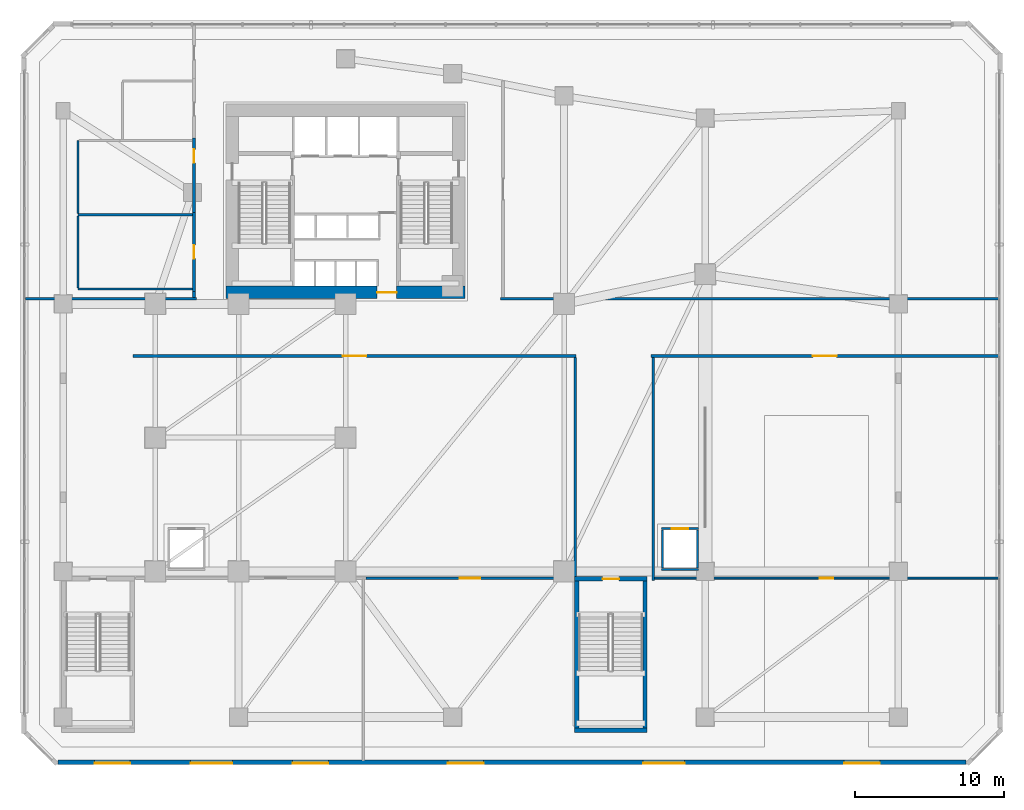
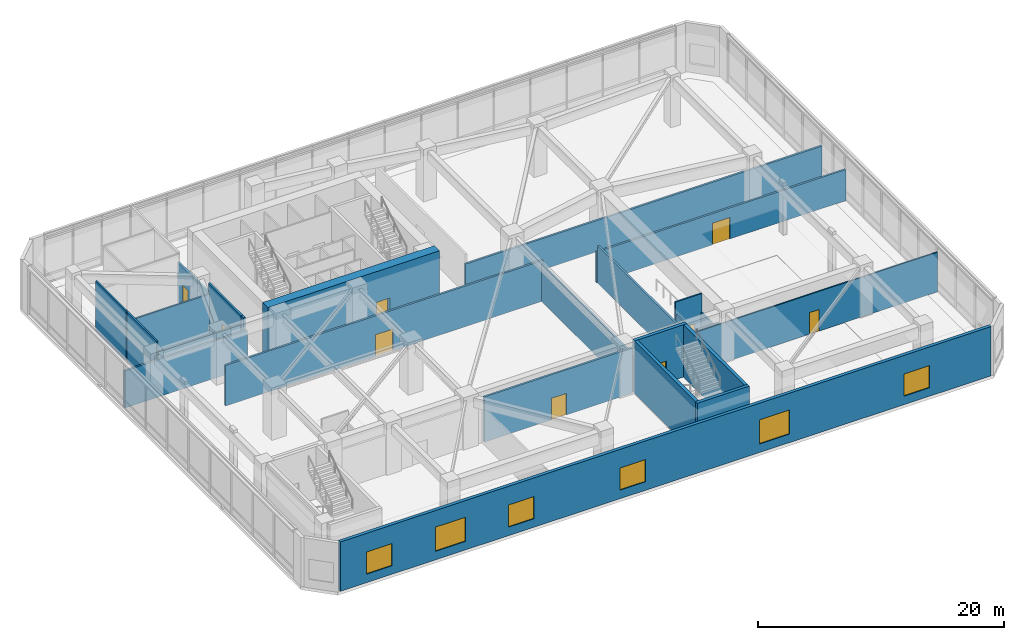
# One storey, part 10 of 18: 25 walls, 9 doors, 6 windows, 15 openings.
"""IFC4 building model written with IfcOpenShell, lengths in metres."""

from ifc_helpers import new_model, si_unit, direction, frame, frame_2d, origin, place, context, subcontext, project, spatial, rectangle, extrude, source, transform, mapped, material, layer, layer_set, type_object, element, fill, save


model = new_model("IFC4")

# Units and contexts
model_context = context("Model", 3, precision=1e-05, world=origin(), true_north=direction((0.0, 1.0)))
body_context = subcontext(model_context, "Body", "Model", "MODEL_VIEW")
ifc_project = project(units=[si_unit("LENGTHUNIT", "METRE"), si_unit("AREAUNIT", "SQUARE_METRE"), si_unit("VOLUMEUNIT", "CUBIC_METRE"), si_unit("PLANEANGLEUNIT", "RADIAN"), si_unit("MASSUNIT", "GRAM", prefix="KILO")], contexts=[model_context])

# Site, building, storey
site_placement = place(None, origin())
site = spatial("IfcSite", under=ifc_project, at=site_placement, CompositionType="ELEMENT")
building_placement = place(site_placement, origin())
building = spatial("IfcBuilding", under=site, at=building_placement, Name="Calvemar Wedge Station Tower", CompositionType="ELEMENT")
storey_placement = place(building_placement, frame((0.0, 0.0, 11.199951171875)))
storey = spatial("IfcBuildingStorey", under=building, at=storey_placement, Name="L03", CompositionType="ELEMENT", Elevation=11.199951171875)

# Walls
ifc_material_1 = material(Name="Concrete C50", Category="concrete")
ifc_layer_1 = layer(ifc_material_1, 0.300048828125)
ifc_layer_set_1 = layer_set([ifc_layer_1], Name="Concrete C50")
wall_type_1 = type_object("IfcWallType", Name="SW-CORE-300", PredefinedType="SHEAR", material=ifc_layer_set_1)
for number, where, z_axis, x_axis, name in (
    (1, (39.35009765625, 4.449951171875, 0.0), (0.0, 0.0, 1.0), (0.0, 1.0, 0.0), "Storey L03 Podium Stair STP2 Structural Wall W"),
    (2, (43.949951171875, 4.449951171875, 0.0), (0.0, 0.0, 1.0), (0.0, 1.0, 0.0), "Storey L03 Podium Stair STP2 Structural Wall E"),
):
    element("IfcWall", number, at=place(storey_placement, frame(where, z_axis=z_axis, x_axis=x_axis)), inside=storey, type_object=wall_type_1, Name=name, PredefinedType="SHEAR", context=body_context, shape_type="SweptSolid", body=[
        extrude(rectangle(XDim=9.900146484375, YDim=0.300048828125, at=frame_2d((4.9501953125, 0.0))), origin(), (0.0, 0.0, 1.0), 5.199951171875),
    ])
wall_1_placement = place(storey_placement, frame((39.199951171875, 4.300048828125, 0.0), z_axis=(0.0, 0.0, 1.0), x_axis=(1.0, 0.0, 0.0)))
element("IfcWall", 3, at=wall_1_placement, inside=storey, type_object=wall_type_1, Name="Storey L03 Podium Stair STP2 Structural Wall S", PredefinedType="SHEAR", context=body_context, shape_type="SweptSolid", body=[
    extrude(rectangle(XDim=4.900146484375, YDim=0.300048828125, at=frame_2d((2.4501953125, 0.0))), origin(), (0.0, 0.0, 1.0), 5.199951171875),
])

# Wall, opening, door
wall_2_placement = place(storey_placement, frame((39.199951171875, 14.5, 0.0), z_axis=(0.0, 0.0, 1.0), x_axis=(1.0, 0.0, 0.0)))
wall_2 = element("IfcWall", 4, at=wall_2_placement, inside=storey, type_object=wall_type_1, Name="Storey L03 Podium Stair STP2 Structural Wall N", PredefinedType="SHEAR", context=body_context, shape_type="SweptSolid", body=[
    extrude(rectangle(XDim=4.900146484375, YDim=0.300048828125, at=frame_2d((2.4501953125, 0.0))), origin(), (0.0, 0.0, 1.0), 5.199951171875),
])
shared_shape_1 = source(origin(), body_context, "Body", "SweptSolid", [
    extrude(rectangle(XDim=1.10009765625, YDim=2.14990234375, at=frame_2d((0.550048828125, 1.074951171875))), frame((0.0, 0.16015625, 0.0), z_axis=(0.0, -1.0, 0.0), x_axis=(1.0, 0.0, 0.0)), (0.0, 0.0, 1.0), 0.320068359375),
])
opening_1_placement = place(wall_2_placement, frame((1.89990234375, 0.0, 0.0)))
opening_1 = element("IfcOpeningElement", 5, at=opening_1_placement, cuts=wall_2, Name="Opening FD-90", PredefinedType="OPENING", context=body_context, shape_type="MappedRepresentation", body=[
    mapped(shared_shape_1, transform((0.0, 0.0, 0.0), scale=1.0)),
])
ifc_material_2 = material(Name="Galvanized fire-rated steel door leaf P-90", Category="steel")
door_type_1 = type_object("IfcDoorType", Name="DR-FD90-1100", OperationType="NOTDEFINED", PredefinedType="DOOR", material=ifc_material_2)
shared_shape_2 = source(origin(), body_context, "Body", "SweptSolid", [
    extrude(rectangle(XDim=1.10009765625, YDim=2.14990234375, at=frame_2d((0.550048828125, 1.074951171875))), frame((0.0, 0.02490234375, 0.0), z_axis=(0.0, -1.0, 0.0), x_axis=(1.0, 0.0, 0.0)), (0.0, 0.0, 1.0), 0.050048828125),
])
door_1_placement = place(opening_1_placement, origin())
door_1 = element("IfcDoor", 6, at=door_1_placement, inside=storey, type_object=door_type_1, Name="L03 Exit Stair ST-P2 Door", OperationType="SINGLE_SWING_RIGHT", OverallHeight=2.14990234375, OverallWidth=1.10009765625, PredefinedType="DOOR", context=body_context, shape_type="MappedRepresentation", body=[
    mapped(shared_shape_2, transform((0.0, 0.0, 0.0), scale=1.0)),
])
fill(opening_1, door_1)

ifc_material_3 = material(Name="Concrete C80", Category="concrete")
ifc_layer_2 = layer(ifc_material_3, 0.85009765625)
ifc_layer_set_2 = layer_set([ifc_layer_2], Name="Concrete C80")
wall_type_2 = type_object("IfcWallType", Name="SW-CORE-850", PredefinedType="SHEAR", material=ifc_layer_set_2)
wall_3_placement = place(storey_placement, frame((15.75, 33.77490234375, 0.0), z_axis=(0.0, 0.0, 1.0), x_axis=(1.0, 0.0, 0.0)))
wall_3 = element("IfcWall", 7, at=wall_3_placement, inside=storey, type_object=wall_type_2, Name="Storey L03 Core Shear Wall S", PredefinedType="SHEAR", context=body_context, shape_type="SweptSolid", body=[
    extrude(rectangle(XDim=16.10009765625, YDim=0.85009765625, at=frame_2d((8.050048828125, 0.0))), origin(), (0.0, 0.0, 1.0), 5.199951171875),
])
shared_shape_3 = source(origin(), body_context, "Body", "SweptSolid", [
    extrude(rectangle(XDim=1.300048828125, YDim=2.14990234375, at=frame_2d((0.64990234375, 1.074951171875))), frame((0.0, 0.43505859375, 0.0), z_axis=(0.0, -1.0, 0.0), x_axis=(1.0, 0.0, 0.0)), (0.0, 0.0, 1.0), 0.8701171875),
])
opening_2_placement = place(wall_3_placement, frame((10.179931640625, 0.0, 0.0)))
opening_2 = element("IfcOpeningElement", 8, at=opening_2_placement, cuts=wall_3, Name="Opening DD-130", PredefinedType="OPENING", context=body_context, shape_type="MappedRepresentation", body=[
    mapped(shared_shape_3, transform((0.0, 0.0, 0.0), scale=1.0)),
])
ifc_material_4 = material(Name="Double-leaf lift lobby fire door EI 60")
door_type_2 = type_object("IfcDoorType", Name="DR-DBL-1300", OperationType="DOUBLE_DOOR_SINGLE_SWING", PredefinedType="DOOR", material=ifc_material_4)
shared_shape_4 = source(origin(), body_context, "Body", "SweptSolid", [
    extrude(rectangle(XDim=1.300048828125, YDim=2.14990234375, at=frame_2d((0.64990234375, 1.074951171875))), frame((0.0, 0.02490234375, 0.0), z_axis=(0.0, -1.0, 0.0), x_axis=(1.0, 0.0, 0.0)), (0.0, 0.0, 1.0), 0.050048828125),
])
door_2_placement = place(opening_2_placement, origin())
door_2 = element("IfcDoor", 9, at=door_2_placement, inside=storey, type_object=door_type_2, Name="L03 Passenger Lift Lobby Door", OperationType="DOUBLE_DOOR_SINGLE_SWING", OverallHeight=2.14990234375, OverallWidth=1.300048828125, PredefinedType="DOOR", context=body_context, shape_type="MappedRepresentation", body=[
    mapped(shared_shape_4, transform((0.0, 0.0, 0.0), scale=1.0)),
])
fill(opening_2, door_2)

# Wall
ifc_material_5 = material(Name="Double-stud fire-rated corridor partition")
ifc_layer_3 = layer(ifc_material_5, 0.179931640625)
ifc_layer_set_3 = layer_set([ifc_layer_3], Name="Double-stud fire-rated corridor partition")
wall_type_3 = type_object("IfcWallType", Name="W-CORR-180", PredefinedType="PARTITIONING", material=ifc_layer_set_3)
wall_4_placement = place(storey_placement, frame((2.264892578125, 33.35009765625, 0.0), z_axis=(0.0, 0.0, 1.0), x_axis=(1.0, 0.0, 0.0)))
element("IfcWall", 10, at=wall_4_placement, inside=storey, type_object=wall_type_3, Name="Storey L03 Interior Partition WL-L03-002", PredefinedType="PARTITIONING", context=body_context, shape_type="SweptSolid", body=[
    extrude(rectangle(XDim=11.4951171875, YDim=0.179931640625, at=frame_2d((5.74755859375, 0.0))), origin(), (0.0, 0.0, 1.0), 3.692138671875),
])

# Wall, opening, door
wall_5_placement = place(storey_placement, frame((39.31005859375, 29.5, 0.0), z_axis=(0.0, 0.0, 1.0), x_axis=(-1.0, 0.0, 0.0)))
wall_5 = element("IfcWall", 11, at=wall_5_placement, inside=storey, type_object=wall_type_3, Name="Storey L03 Interior Partition WL-L03-003", PredefinedType="PARTITIONING", context=body_context, shape_type="SweptSolid", body=[
    extrude(rectangle(XDim=29.820068359375, YDim=0.179931640625, at=frame_2d((14.91015625, 0.0))), origin(), (0.0, 0.0, 1.0), 4.030029296875),
])
shared_shape_5 = source(origin(), body_context, "Body", "SweptSolid", [
    extrude(rectangle(XDim=1.60009765625, YDim=2.14990234375, at=frame_2d((0.800048828125, 1.074951171875))), frame((0.0, 0.10009765625, 0.0), z_axis=(0.0, -1.0, 0.0), x_axis=(1.0, 0.0, 0.0)), (0.0, 0.0, 1.0), 0.199951171875),
])
opening_3_placement = place(wall_5_placement, frame((14.110107421875, 0.0, 0.0)))
opening_3 = element("IfcOpeningElement", 12, at=opening_3_placement, cuts=wall_5, Name="Opening DD-160", PredefinedType="OPENING", context=body_context, shape_type="MappedRepresentation", body=[
    mapped(shared_shape_5, transform((0.0, 0.0, 0.0), scale=1.0)),
])
ifc_material_6 = material(Name="Double-leaf fire-rated lobby door EI 60")
door_type_3 = type_object("IfcDoorType", Name="DR-DBL-1600", OperationType="DOUBLE_DOOR_SINGLE_SWING", PredefinedType="DOOR", material=ifc_material_6)
shared_shape_6 = source(origin(), body_context, "Body", "SweptSolid", [
    extrude(rectangle(XDim=1.60009765625, YDim=2.14990234375, at=frame_2d((0.800048828125, 1.074951171875))), frame((0.0, 0.02490234375, 0.0), z_axis=(0.0, -1.0, 0.0), x_axis=(1.0, 0.0, 0.0)), (0.0, 0.0, 1.0), 0.050048828125),
])
door_3_placement = place(opening_3_placement, origin())
door_3 = element("IfcDoor", 13, at=door_3_placement, inside=storey, type_object=door_type_3, Name="L03 Civic Transit Auditorium Door", OperationType="SINGLE_SWING_RIGHT", OverallHeight=2.14990234375, OverallWidth=1.60009765625, PredefinedType="DOOR", context=body_context, shape_type="MappedRepresentation", body=[
    mapped(shared_shape_6, transform((0.0, 0.0, 0.0), scale=1.0)),
])
fill(opening_3, door_3)

wall_6_placement = place(storey_placement, frame((67.735107421875, 29.5, 0.0), z_axis=(0.0, 0.0, 1.0), x_axis=(-1.0, 0.0, 0.0)))
wall_6 = element("IfcWall", 14, at=wall_6_placement, inside=storey, type_object=wall_type_3, Name="Storey L03 Interior Partition WL-L03-004", PredefinedType="PARTITIONING", context=body_context, shape_type="SweptSolid", body=[
    extrude(rectangle(XDim=23.39501953125, YDim=0.179931640625, at=frame_2d((11.697509765625, 0.0))), origin(), (0.0, 0.0, 1.0), 3.092041015625),
])
opening_4_placement = place(wall_6_placement, frame((10.8974609375, 0.0, 0.0)))
opening_4 = element("IfcOpeningElement", 15, at=opening_4_placement, cuts=wall_6, Name="Opening DD-160", PredefinedType="OPENING", context=body_context, shape_type="MappedRepresentation", body=[
    mapped(shared_shape_5, transform((0.0, 0.0, 0.0), scale=1.0)),
])
door_4_placement = place(opening_4_placement, origin())
door_4 = element("IfcDoor", 16, at=door_4_placement, inside=storey, type_object=door_type_3, Name="L03 Coastal Architecture Exhibition Hall Door", OperationType="SINGLE_SWING_LEFT", OverallHeight=2.14990234375, OverallWidth=1.60009765625, PredefinedType="DOOR", context=body_context, shape_type="MappedRepresentation", body=[
    mapped(shared_shape_6, transform((0.0, 0.0, 0.0), scale=1.0)),
])
fill(opening_4, door_4)

# Walls
wall_7_placement = place(storey_placement, frame((34.239990234375, 33.35009765625, 0.0), z_axis=(0.0, 0.0, 1.0), x_axis=(1.0, 0.0, 0.0)))
element("IfcWall", 17, at=wall_7_placement, inside=storey, type_object=wall_type_3, Name="Storey L03 Interior Partition WL-L03-005", PredefinedType="PARTITIONING", context=body_context, shape_type="SweptSolid", body=[
    extrude(rectangle(XDim=33.4951171875, YDim=0.179931640625, at=frame_2d((16.74755859375, 0.0))), origin(), (0.0, 0.0, 1.0), 3.092041015625),
])
wall_8_placement = place(storey_placement, frame((39.25, 14.52001953125, 0.0), z_axis=(0.0, 0.0, 1.0), x_axis=(0.0, 1.0, 0.0)))
element("IfcWall", 18, at=wall_8_placement, inside=storey, type_object=wall_type_3, Name="Storey L03 Interior Partition WL-L03-006", PredefinedType="PARTITIONING", context=body_context, shape_type="SweptSolid", body=[
    extrude(rectangle(XDim=14.885986328125, YDim=0.179931640625, at=frame_2d((7.44287109375, 0.0))), origin(), (0.0, 0.0, 1.0), 3.692138671875),
])
wall_9_placement = place(storey_placement, frame((44.5, 29.406005859375, 0.0), z_axis=(0.0, 0.0, 1.0), x_axis=(0.0, -1.0, 0.0)))
element("IfcWall", 19, at=wall_9_placement, inside=storey, type_object=wall_type_3, Name="Storey L03 Interior Partition WL-L03-007", PredefinedType="PARTITIONING", context=body_context, shape_type="SweptSolid", body=[
    extrude(rectangle(XDim=15.006103515625, YDim=0.179931640625, at=frame_2d((7.5029296875, 0.0))), origin(), (0.0, 0.0, 1.0), 3.692138671875),
])

# Wall, opening, door
wall_10_placement = place(storey_placement, frame((13.60009765625, 33.840087890625, 0.0), z_axis=(0.0, 0.0, 1.0), x_axis=(0.0, 1.0, 0.0)))
wall_10 = element("IfcWall", 20, at=wall_10_placement, inside=storey, type_object=wall_type_3, Name="Storey L03 Interior Partition WL-L03-008", PredefinedType="PARTITIONING", context=body_context, shape_type="SweptSolid", body=[
    extrude(rectangle(XDim=5.31982421875, YDim=0.179931640625, at=frame_2d((2.659912109375, 0.0))), origin(), (0.0, 0.0, 1.0), 4.900146484375),
])
shared_shape_7 = source(origin(), body_context, "Body", "SweptSolid", [
    extrude(rectangle(XDim=0.89990234375, YDim=2.14990234375, at=frame_2d((0.449951171875, 1.074951171875))), frame((0.0, 0.10009765625, 0.0), z_axis=(0.0, -1.0, 0.0), x_axis=(1.0, 0.0, 0.0)), (0.0, 0.0, 1.0), 0.199951171875),
])
opening_5_placement = place(wall_10_placement, frame((2.2099609375, 0.0, 0.0)))
opening_5 = element("IfcOpeningElement", 21, at=opening_5_placement, cuts=wall_10, Name="Opening D-01", PredefinedType="OPENING", context=body_context, shape_type="MappedRepresentation", body=[
    mapped(shared_shape_7, transform((0.0, 0.0, 0.0), scale=1.0)),
])
ifc_material_7 = material(Name="Architectural hardwood acoustic swing door", Category="wood")
door_type_4 = type_object("IfcDoorType", Name="DR-INT-900", OperationType="NOTDEFINED", PredefinedType="DOOR", material=ifc_material_7)
shared_shape_8 = source(origin(), body_context, "Body", "SweptSolid", [
    extrude(rectangle(XDim=0.89990234375, YDim=2.14990234375, at=frame_2d((0.449951171875, 1.074951171875))), frame((0.0, 0.02490234375, 0.0), z_axis=(0.0, -1.0, 0.0), x_axis=(1.0, 0.0, 0.0)), (0.0, 0.0, 1.0), 0.050048828125),
])
door_5_placement = place(opening_5_placement, origin())
door_5 = element("IfcDoor", 22, at=door_5_placement, inside=storey, type_object=door_type_4, Name="L03 Male Toilet Door", OperationType="SINGLE_SWING_RIGHT", OverallHeight=2.14990234375, OverallWidth=0.89990234375, PredefinedType="DOOR", context=body_context, shape_type="MappedRepresentation", body=[
    mapped(shared_shape_8, transform((0.0, 0.0, 0.0), scale=1.0)),
])
fill(opening_5, door_5)

wall_11_placement = place(storey_placement, frame((13.60009765625, 39.162109375, 0.0), z_axis=(0.0, 0.0, 1.0), x_axis=(0.0, 1.0, 0.0)))
wall_11 = element("IfcWall", 23, at=wall_11_placement, inside=storey, type_object=wall_type_3, Name="Storey L03 Interior Partition WL-L03-009", PredefinedType="PARTITIONING", context=body_context, shape_type="SweptSolid", body=[
    extrude(rectangle(XDim=4.997802734375, YDim=0.179931640625, at=frame_2d((2.4990234375, 0.0))), origin(), (0.0, 0.0, 1.0), 3.942138671875),
])
opening_6_placement = place(wall_11_placement, frame((3.330078125, 0.0, 0.0)))
opening_6 = element("IfcOpeningElement", 24, at=opening_6_placement, cuts=wall_11, Name="Opening D-01", PredefinedType="OPENING", context=body_context, shape_type="MappedRepresentation", body=[
    mapped(shared_shape_7, transform((0.0, 0.0, 0.0), scale=1.0)),
])
door_6_placement = place(opening_6_placement, origin())
door_6 = element("IfcDoor", 25, at=door_6_placement, inside=storey, type_object=door_type_4, Name="L03 Female Toilet Door", OperationType="SINGLE_SWING_LEFT", OverallHeight=2.14990234375, OverallWidth=0.89990234375, PredefinedType="DOOR", context=body_context, shape_type="MappedRepresentation", body=[
    mapped(shared_shape_8, transform((0.0, 0.0, 0.0), scale=1.0)),
])
fill(opening_6, door_6)

# Wall
wall_12_placement = place(storey_placement, frame((13.60009765625, 33.444091796875, 0.0), z_axis=(0.0, 0.0, 1.0), x_axis=(0.0, 1.0, 0.0)))
element("IfcWall", 26, at=wall_12_placement, inside=storey, type_object=wall_type_3, Name="Storey L03 Interior Partition WL-L03-012", PredefinedType="PARTITIONING", context=body_context, shape_type="SweptSolid", body=[
    extrude(rectangle(XDim=0.393798828125, YDim=0.179931640625, at=frame_2d((0.19677734375, 0.0))), origin(), (0.0, 0.0, 1.0), 4.900146484375),
])

# Wall, opening, door
wall_13_placement = place(storey_placement, frame((39.055908203125, 14.550048828125, 0.0), z_axis=(0.0, 0.0, 1.0), x_axis=(-1.0, 0.0, 0.0)))
wall_13 = element("IfcWall", 27, at=wall_13_placement, inside=storey, type_object=wall_type_3, Name="Storey L03 Interior Partition WL-L03-023", PredefinedType="PARTITIONING", context=body_context, shape_type="SweptSolid", body=[
    extrude(rectangle(XDim=13.893798828125, YDim=0.179931640625, at=frame_2d((6.94677734375, 0.0))), origin(), (0.0, 0.0, 1.0), 4.485107421875),
])
shared_shape_9 = source(origin(), body_context, "Body", "SweptSolid", [
    extrude(rectangle(XDim=1.39990234375, YDim=2.14990234375, at=frame_2d((0.699951171875, 1.074951171875))), frame((0.0, 0.10009765625, 0.0), z_axis=(0.0, -1.0, 0.0), x_axis=(1.0, 0.0, 0.0)), (0.0, 0.0, 1.0), 0.199951171875),
])
opening_7_placement = place(wall_13_placement, frame((6.186767578125, 0.0, 0.0)))
opening_7 = element("IfcOpeningElement", 28, at=opening_7_placement, cuts=wall_13, Name="Opening DD-140", PredefinedType="OPENING", context=body_context, shape_type="MappedRepresentation", body=[
    mapped(shared_shape_9, transform((0.0, 0.0, 0.0), scale=1.0)),
])
ifc_material_8 = material(Name="Double-leaf corridor acoustic fire door EI 60")
door_type_5 = type_object("IfcDoorType", Name="DR-DBL-1400", OperationType="DOUBLE_DOOR_SINGLE_SWING", PredefinedType="DOOR", material=ifc_material_8)
shared_shape_10 = source(origin(), body_context, "Body", "SweptSolid", [
    extrude(rectangle(XDim=1.39990234375, YDim=2.14990234375, at=frame_2d((0.699951171875, 1.074951171875))), frame((0.0, 0.02490234375, 0.0), z_axis=(0.0, -1.0, 0.0), x_axis=(1.0, 0.0, 0.0)), (0.0, 0.0, 1.0), 0.050048828125),
])
door_7_placement = place(opening_7_placement, origin())
door_7 = element("IfcDoor", 29, at=door_7_placement, inside=storey, type_object=door_type_5, Name="L03 Conference Seminar Room 2 Door", OperationType="SINGLE_SWING_LEFT", OverallHeight=2.14990234375, OverallWidth=1.39990234375, PredefinedType="DOOR", context=body_context, shape_type="MappedRepresentation", body=[
    mapped(shared_shape_10, transform((0.0, 0.0, 0.0), scale=1.0)),
])
fill(opening_7, door_7)

# Wall, openings, windows
ifc_material_9 = material(Name="Precast concrete C45", Category="concrete")
ifc_layer_4 = layer(ifc_material_9, 0.300048828125)
ifc_layer_set_4 = layer_set([ifc_layer_4], Name="Precast concrete C45")
wall_type_4 = type_object("IfcWallType", Name="W-EXT-GFRC-300", PredefinedType="SOLIDWALL", material=ifc_layer_set_4)
wall_14_placement = place(storey_placement, frame((4.457275390625, 2.14990234375, 0.0), z_axis=(0.0, 0.0, 1.0), x_axis=(1.0, 0.0, 0.0)))
wall_14 = element("IfcWall", 30, at=wall_14_placement, inside=storey, type_object=wall_type_4, Name="Storey L03 Bronze GFRC Exterior Wall 8", PredefinedType="SOLIDWALL", context=body_context, shape_type="SweptSolid", body=[
    extrude(rectangle(XDim=61.08544921875, YDim=0.300048828125, at=frame_2d((30.542724609375, 0.0))), origin(), (0.0, 0.0, 1.0), 4.900146484375),
])
shared_shape_11 = source(origin(), body_context, "Body", "SweptSolid", [
    extrude(rectangle(XDim=2.39990234375, YDim=2.199951171875, at=frame_2d((1.199951171875, 1.10009765625))), frame((0.0, 0.16015625, 0.0), z_axis=(0.0, -1.0, 0.0), x_axis=(1.0, 0.0, 0.0)), (0.0, 0.0, 1.0), 0.320068359375),
])
opening_8_placement = place(wall_14_placement, frame((2.4541015625, 0.0, 0.85009765625)))
opening_8 = element("IfcOpeningElement", 31, at=opening_8_placement, cuts=wall_14, Name="Opening W1", PredefinedType="OPENING", context=body_context, shape_type="MappedRepresentation", body=[
    mapped(shared_shape_11, transform((0.0, 0.0, 0.0), scale=1.0)),
])
shared_shape_12 = source(origin(), body_context, "Body", "SweptSolid", [
    extrude(rectangle(XDim=2.800048828125, YDim=2.39990234375, at=frame_2d((1.39990234375, 1.199951171875))), frame((0.0, 0.16015625, 0.0), z_axis=(0.0, -1.0, 0.0), x_axis=(1.0, 0.0, 0.0)), (0.0, 0.0, 1.0), 0.320068359375),
])
opening_9_placement = place(wall_14_placement, frame((8.9208984375, 0.0, 0.85009765625)))
opening_9 = element("IfcOpeningElement", 32, at=opening_9_placement, cuts=wall_14, Name="Opening W6", PredefinedType="OPENING", context=body_context, shape_type="MappedRepresentation", body=[
    mapped(shared_shape_12, transform((0.0, 0.0, 0.0), scale=1.0)),
])
opening_10_placement = place(wall_14_placement, frame((15.7890625, 0.0, 0.85009765625)))
opening_10 = element("IfcOpeningElement", 33, at=opening_10_placement, cuts=wall_14, Name="Opening W1", PredefinedType="OPENING", context=body_context, shape_type="MappedRepresentation", body=[
    mapped(shared_shape_11, transform((0.0, 0.0, 0.0), scale=1.0)),
])
opening_11_placement = place(wall_14_placement, frame((26.22998046875, 0.0, 0.85009765625)))
opening_11 = element("IfcOpeningElement", 34, at=opening_11_placement, cuts=wall_14, Name="Opening W1", PredefinedType="OPENING", context=body_context, shape_type="MappedRepresentation", body=[
    mapped(shared_shape_11, transform((0.0, 0.0, 0.0), scale=1.0)),
])
opening_12_placement = place(wall_14_placement, frame((39.364013671875, 0.0, 0.85009765625)))
opening_12 = element("IfcOpeningElement", 35, at=opening_12_placement, cuts=wall_14, Name="Opening W6", PredefinedType="OPENING", context=body_context, shape_type="MappedRepresentation", body=[
    mapped(shared_shape_12, transform((0.0, 0.0, 0.0), scale=1.0)),
])
opening_13_placement = place(wall_14_placement, frame((52.89794921875, 0.0, 0.85009765625)))
opening_13 = element("IfcOpeningElement", 36, at=opening_13_placement, cuts=wall_14, Name="Opening W1", PredefinedType="OPENING", context=body_context, shape_type="MappedRepresentation", body=[
    mapped(shared_shape_11, transform((0.0, 0.0, 0.0), scale=1.0)),
])
ifc_material_10 = material(Name="Low-E laminated insulated glass", Category="glass")
window_type_1 = type_object("IfcWindowType", Name="WIN-EXT-6", PartitioningType="SINGLE_PANEL", PredefinedType="WINDOW", material=ifc_material_10)
shared_shape_13 = source(origin(), body_context, "Body", "SweptSolid", [
    extrude(rectangle(XDim=2.800048828125, YDim=2.39990234375, at=frame_2d((1.39990234375, 1.199951171875))), frame((0.0, -0.014892578125, 0.0), z_axis=(0.0, -1.0, 0.0), x_axis=(1.0, 0.0, 0.0)), (0.0, 0.0, 1.0), 0.06005859375),
])
window_1_placement = place(opening_9_placement, origin())
window_1 = element("IfcWindow", 37, at=window_1_placement, inside=storey, type_object=window_type_1, Name="Storey L03 Recessed Window 8.2", OverallHeight=2.39990234375, OverallWidth=2.800048828125, PartitioningType="SINGLE_PANEL", PredefinedType="WINDOW", context=body_context, shape_type="MappedRepresentation", body=[
    mapped(shared_shape_13, transform((0.0, 0.0, 0.0), scale=1.0)),
])
fill(opening_9, window_1)
window_2_placement = place(opening_12_placement, origin())
window_2 = element("IfcWindow", 38, at=window_2_placement, inside=storey, type_object=window_type_1, Name="Storey L03 Recessed Window 8.5", OverallHeight=2.39990234375, OverallWidth=2.800048828125, PartitioningType="SINGLE_PANEL", PredefinedType="WINDOW", context=body_context, shape_type="MappedRepresentation", body=[
    mapped(shared_shape_13, transform((0.0, 0.0, 0.0), scale=1.0)),
])
fill(opening_12, window_2)
window_type_2 = type_object("IfcWindowType", Name="WIN-EXT-1", PartitioningType="SINGLE_PANEL", PredefinedType="WINDOW", material=ifc_material_10)
shared_shape_14 = source(origin(), body_context, "Body", "SweptSolid", [
    extrude(rectangle(XDim=2.39990234375, YDim=2.199951171875, at=frame_2d((1.199951171875, 1.10009765625))), frame((0.0, -0.014892578125, 0.0), z_axis=(0.0, -1.0, 0.0), x_axis=(1.0, 0.0, 0.0)), (0.0, 0.0, 1.0), 0.06005859375),
])
window_3_placement = place(opening_8_placement, origin())
window_3 = element("IfcWindow", 39, at=window_3_placement, inside=storey, type_object=window_type_2, Name="Storey L03 Recessed Window 8.1", OverallHeight=2.199951171875, OverallWidth=2.39990234375, PartitioningType="SINGLE_PANEL", PredefinedType="WINDOW", context=body_context, shape_type="MappedRepresentation", body=[
    mapped(shared_shape_14, transform((0.0, 0.0, 0.0), scale=1.0)),
])
fill(opening_8, window_3)
window_4_placement = place(opening_10_placement, origin())
window_4 = element("IfcWindow", 40, at=window_4_placement, inside=storey, type_object=window_type_2, Name="Storey L03 Recessed Window 8.3", OverallHeight=2.199951171875, OverallWidth=2.39990234375, PartitioningType="SINGLE_PANEL", PredefinedType="WINDOW", context=body_context, shape_type="MappedRepresentation", body=[
    mapped(shared_shape_14, transform((0.0, 0.0, 0.0), scale=1.0)),
])
fill(opening_10, window_4)
window_5_placement = place(opening_11_placement, origin())
window_5 = element("IfcWindow", 41, at=window_5_placement, inside=storey, type_object=window_type_2, Name="Storey L03 Recessed Window 8.4", OverallHeight=2.199951171875, OverallWidth=2.39990234375, PartitioningType="SINGLE_PANEL", PredefinedType="WINDOW", context=body_context, shape_type="MappedRepresentation", body=[
    mapped(shared_shape_14, transform((0.0, 0.0, 0.0), scale=1.0)),
])
fill(opening_11, window_5)
window_6_placement = place(opening_13_placement, origin())
window_6 = element("IfcWindow", 42, at=window_6_placement, inside=storey, type_object=window_type_2, Name="Storey L03 Recessed Window 8.6", OverallHeight=2.199951171875, OverallWidth=2.39990234375, PartitioningType="SINGLE_PANEL", PredefinedType="WINDOW", context=body_context, shape_type="MappedRepresentation", body=[
    mapped(shared_shape_14, transform((0.0, 0.0, 0.0), scale=1.0)),
])
fill(opening_13, window_6)

# Wall, opening, door
ifc_material_11 = material(Name="Reinforced concrete blockwork lift shaft wall", Category="masonry")
ifc_layer_5 = layer(ifc_material_11, 0.139892578125)
ifc_layer_set_5 = layer_set([ifc_layer_5], Name="Reinforced concrete blockwork lift shaft wall")
wall_type_5 = type_object("IfcWallType", Name="W-LIFT-160", PredefinedType="SOLIDWALL", material=ifc_layer_set_5)
wall_15_placement = place(storey_placement, frame((45.050048828125, 17.8798828125, 0.0), z_axis=(0.0, 0.0, 1.0), x_axis=(1.0, 0.0, 0.0)))
wall_15 = element("IfcWall", 43, at=wall_15_placement, inside=storey, type_object=wall_type_5, Name="Storey L03 Station Lift SL-02 Shaft Wall N", PredefinedType="SOLIDWALL", context=body_context, shape_type="SweptSolid", body=[
    extrude(rectangle(XDim=2.5, YDim=0.139892578125, at=frame_2d((1.25, 0.0))), origin(), (0.0, 0.0, 1.0), 4.900146484375),
])
shared_shape_15 = source(origin(), body_context, "Body", "SweptSolid", [
    extrude(rectangle(XDim=1.10009765625, YDim=2.14990234375, at=frame_2d((0.550048828125, 1.074951171875))), frame((0.0, 0.080078125, 0.0), z_axis=(0.0, -1.0, 0.0), x_axis=(1.0, 0.0, 0.0)), (0.0, 0.0, 1.0), 0.159912109375),
])
opening_14_placement = place(wall_15_placement, frame((0.699951171875, 0.0, 0.0)))
opening_14 = element("IfcOpeningElement", 44, at=opening_14_placement, cuts=wall_15, Name="Opening LD-STN", PredefinedType="OPENING", context=body_context, shape_type="MappedRepresentation", body=[
    mapped(shared_shape_15, transform((0.0, 0.0, 0.0), scale=1.0)),
])
ifc_material_12 = material(Name="Stainless steel transit lift sliding landing door", Category="steel")
door_type_6 = type_object("IfcDoorType", Name="DR-LD-PAX-1100", OperationType="SLIDING_TO_LEFT", PredefinedType="DOOR", material=ifc_material_12)
shared_shape_16 = source(origin(), body_context, "Body", "SweptSolid", [
    extrude(rectangle(XDim=1.10009765625, YDim=2.14990234375, at=frame_2d((0.550048828125, 1.074951171875))), frame((0.0, 0.02490234375, 0.0), z_axis=(0.0, -1.0, 0.0), x_axis=(1.0, 0.0, 0.0)), (0.0, 0.0, 1.0), 0.050048828125),
])
door_8_placement = place(opening_14_placement, origin())
door_8 = element("IfcDoor", 45, at=door_8_placement, inside=storey, type_object=door_type_6, Name="L03 Station Lift SL-02 Sliding Landing Door", OperationType="SLIDING_TO_RIGHT", OverallHeight=2.14990234375, OverallWidth=1.10009765625, PredefinedType="DOOR", context=body_context, shape_type="MappedRepresentation", body=[
    mapped(shared_shape_16, transform((0.0, 0.0, 0.0), scale=1.0)),
])
fill(opening_14, door_8)

# Walls
wall_16_placement = place(storey_placement, frame((45.050048828125, 15.1201171875, 0.0), z_axis=(0.0, 0.0, 1.0), x_axis=(1.0, 0.0, 0.0)))
element("IfcWall", 46, at=wall_16_placement, inside=storey, type_object=wall_type_5, Name="Storey L03 Station Lift SL-02 Shaft Wall S", PredefinedType="SOLIDWALL", context=body_context, shape_type="SweptSolid", body=[
    extrude(rectangle(XDim=2.5, YDim=0.139892578125, at=frame_2d((1.25, 0.0))), origin(), (0.0, 0.0, 1.0), 3.692138671875),
])
wall_17_placement = place(storey_placement, frame((45.1201171875, 15.219970703125, 0.0), z_axis=(0.0, 0.0, 1.0), x_axis=(0.0, 1.0, 0.0)))
element("IfcWall", 47, at=wall_17_placement, inside=storey, type_object=wall_type_5, Name="Storey L03 Station Lift SL-02 Shaft Wall W", PredefinedType="SOLIDWALL", context=body_context, shape_type="SweptSolid", body=[
    extrude(rectangle(XDim=2.56005859375, YDim=0.139892578125, at=frame_2d((1.280029296875, 0.0))), origin(), (0.0, 0.0, 1.0), 3.692138671875),
])
wall_18_placement = place(storey_placement, frame((47.47998046875, 15.219970703125, 0.0), z_axis=(0.0, 0.0, 1.0), x_axis=(0.0, 1.0, 0.0)))
element("IfcWall", 48, at=wall_18_placement, inside=storey, type_object=wall_type_5, Name="Storey L03 Station Lift SL-02 Shaft Wall E", PredefinedType="SOLIDWALL", context=body_context, shape_type="SweptSolid", body=[
    extrude(rectangle(XDim=2.56005859375, YDim=0.139892578125, at=frame_2d((1.280029296875, 0.0))), origin(), (0.0, 0.0, 1.0), 3.092041015625),
])

# Wall, opening, door
ifc_material_13 = material(Name="Insulated acoustic gypsum stud partition")
ifc_layer_6 = layer(ifc_material_13, 0.125)
ifc_layer_set_6 = layer_set([ifc_layer_6], Name="Insulated acoustic gypsum stud partition")
wall_type_6 = type_object("IfcWallType", Name="W-PART-125", PredefinedType="PARTITIONING", material=ifc_layer_set_6)
wall_19_placement = place(storey_placement, frame((67.735107421875, 14.550048828125, 0.0), z_axis=(0.0, 0.0, 1.0), x_axis=(-1.0, 0.0, 0.0)))
wall_19 = element("IfcWall", 49, at=wall_19_placement, inside=storey, type_object=wall_type_6, Name="Storey L03 Interior Partition WL-L03-024", PredefinedType="PARTITIONING", context=body_context, shape_type="SweptSolid", body=[
    extrude(rectangle(XDim=23.14111328125, YDim=0.125, at=frame_2d((11.570556640625, 0.0))), origin(), (0.0, 0.0, 1.0), 3.942138671875),
])
shared_shape_17 = source(origin(), body_context, "Body", "SweptSolid", [
    extrude(rectangle(XDim=0.89990234375, YDim=2.14990234375, at=frame_2d((0.449951171875, 1.074951171875))), frame((0.0, 0.072509765625, 0.0), z_axis=(0.0, -1.0, 0.0), x_axis=(1.0, 0.0, 0.0)), (0.0, 0.0, 1.0), 0.14501953125),
])
opening_15_placement = place(wall_19_placement, frame((11.12060546875, 0.0, 0.0)))
opening_15 = element("IfcOpeningElement", 50, at=opening_15_placement, cuts=wall_19, Name="Opening D-01", PredefinedType="OPENING", context=body_context, shape_type="MappedRepresentation", body=[
    mapped(shared_shape_17, transform((0.0, 0.0, 0.0), scale=1.0)),
])
door_9_placement = place(opening_15_placement, origin())
door_9 = element("IfcDoor", 51, at=door_9_placement, inside=storey, type_object=door_type_4, Name="L03 VIP Press Briefing Room Door", OperationType="SINGLE_SWING_RIGHT", OverallHeight=2.14990234375, OverallWidth=0.89990234375, PredefinedType="DOOR", context=body_context, shape_type="MappedRepresentation", body=[
    mapped(shared_shape_8, transform((0.0, 0.0, 0.0), scale=1.0)),
])
fill(opening_15, door_9)

# Walls
ifc_material_14 = material(Name="Moisture-resistant acoustic bathroom partition")
ifc_layer_7 = layer(ifc_material_14, 0.14990234375)
ifc_layer_set_7 = layer_set([ifc_layer_7], Name="Moisture-resistant acoustic bathroom partition")
wall_type_7 = type_object("IfcWallType", Name="W-WET-150", PredefinedType="PARTITIONING", material=ifc_layer_set_7)
for number, where, z_axis, x_axis, name in (
    (52, (5.800048828125, 39.0, 0.0), (0.0, 0.0, 1.0), (1.0, 0.0, 0.0), "Storey L03 Interior Partition WL-L03-014"),
    (53, (13.506103515625, 34.0, 0.0), (0.0, 0.0, 1.0), (-1.0, 0.0, 0.0), "Storey L03 Interior Partition WL-L03-015"),
):
    element("IfcWall", number, at=place(storey_placement, frame(where, z_axis=z_axis, x_axis=x_axis)), inside=storey, type_object=wall_type_7, Name=name, PredefinedType="PARTITIONING", context=body_context, shape_type="SweptSolid", body=[
        extrude(rectangle(XDim=7.7060546875, YDim=0.14990234375, at=frame_2d((3.85302734375, 0.0))), origin(), (0.0, 0.0, 1.0), 3.942138671875),
    ])
wall_20_placement = place(storey_placement, frame((5.800048828125, 34.0791015625, 0.0), z_axis=(0.0, 0.0, 1.0), x_axis=(0.0, 1.0, 0.0)))
element("IfcWall", 54, at=wall_20_placement, inside=storey, type_object=wall_type_7, Name="Storey L03 Interior Partition WL-L03-016", PredefinedType="PARTITIONING", context=body_context, shape_type="SweptSolid", body=[
    extrude(rectangle(XDim=4.841796875, YDim=0.14990234375, at=frame_2d((2.4208984375, 0.0))), origin(), (0.0, 0.0, 1.0), 4.900146484375),
])
wall_21_placement = place(storey_placement, frame((5.800048828125, 39.0791015625, 0.0), z_axis=(0.0, 0.0, 1.0), x_axis=(0.0, 1.0, 0.0)))
element("IfcWall", 55, at=wall_21_placement, inside=storey, type_object=wall_type_7, Name="Storey L03 Interior Partition WL-L03-018", PredefinedType="PARTITIONING", context=body_context, shape_type="SweptSolid", body=[
    extrude(rectangle(XDim=4.9208984375, YDim=0.14990234375, at=frame_2d((2.46044921875, 0.0))), origin(), (0.0, 0.0, 1.0), 4.900146484375),
])

save(model, "model.ifc")
